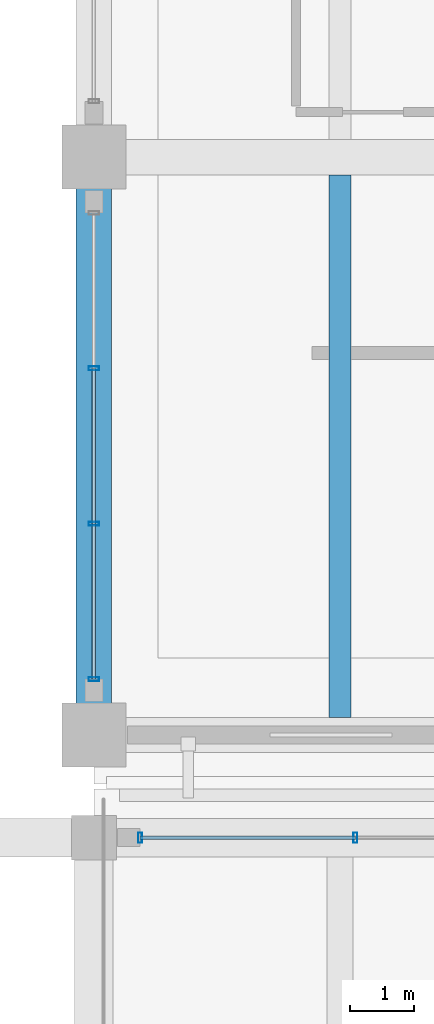
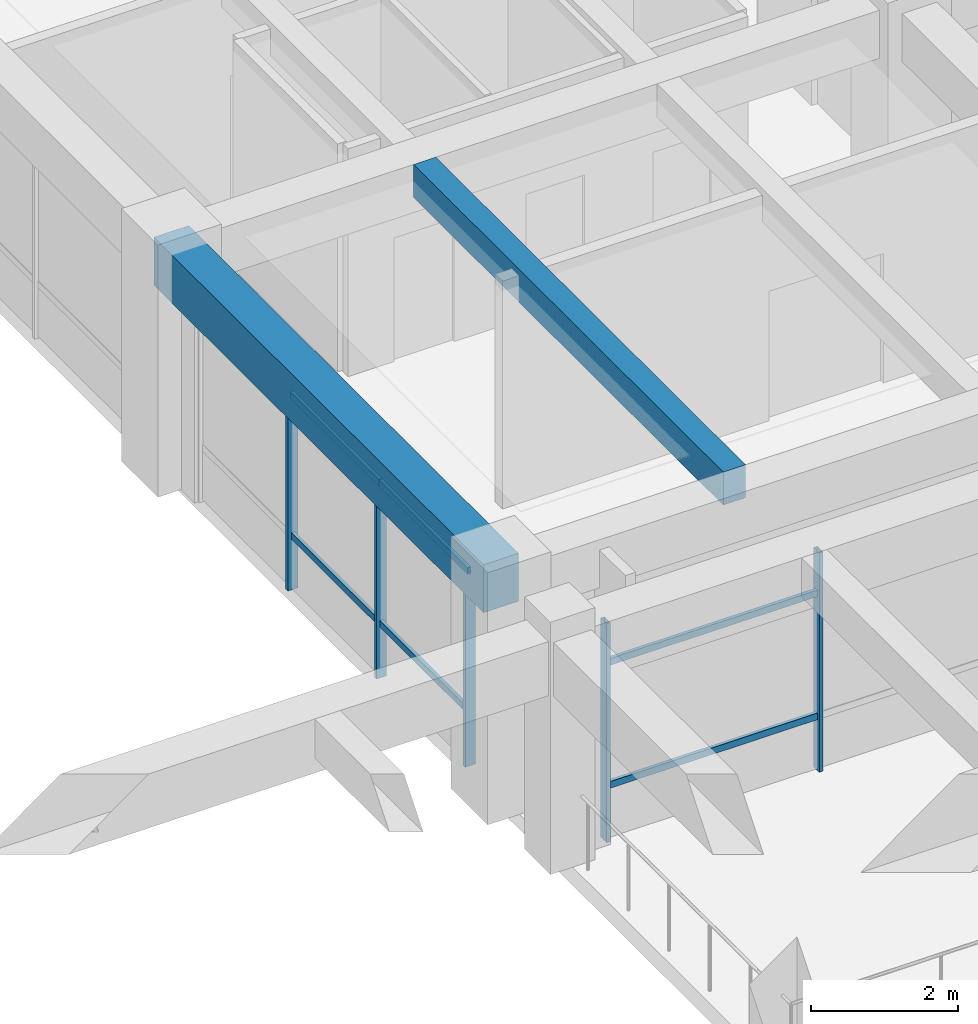
# One storey, part 35 of 98: 11 members, 2 beams, 2 elements without a shape of their own.
"""IFC4 building model written with IfcOpenShell, lengths in metres."""

import ifcopenshell
import ifcopenshell.guid

model = None  # the IFC model being written
_history = None  # IfcOwnerHistory: only IFC2X3 demands one
_inside = {}  # id of a spatial element -> (the spatial element, [elements in it])
_under = {}  # id of a project, library or spatial element -> (it, [spatial elements below it])
_declared = {}  # id of a project -> (the project, [libraries it declares])
_typed = {}  # id of a type object -> (the type object, [elements of that type])
_made_of = {}  # id of a material, layer set ... -> (it, [elements and type objects made of it])


def new_model(schema):
    """Start an empty IFC model of exactly this schema.

    Asked for "IFC4X3", IfcOpenShell would pick the latest addendum, in which some entities
    have other attributes; the version numbers below select the first issue.
    IFC2X3 requires an IfcOwnerHistory on every rooted entity: one is made here for all.
    """
    global model, _history
    if schema == "IFC4X3":
        model = ifcopenshell.file(schema_version=(4, 3, 0, 0))
    else:
        model = ifcopenshell.file(schema=schema)
    _inside.clear()
    _under.clear()
    _declared.clear()
    _typed.clear()
    _made_of.clear()
    _history = None
    if model.schema == "IFC2X3":
        org = make("IfcOrganization", Name="unknown")
        user = make(
            "IfcPersonAndOrganization",
            ThePerson=make("IfcPerson", FamilyName="unknown"),
            TheOrganization=org,
        )
        app = make(
            "IfcApplication",
            ApplicationDeveloper=org,
            Version="unknown",
            ApplicationFullName="unknown",
            ApplicationIdentifier="unknown",
        )
        _history = make(
            "IfcOwnerHistory",
            OwningUser=user,
            OwningApplication=app,
            ChangeAction="ADDED",
            CreationDate=0,
        )
    return model


def make(cls, **values):
    """One entity of the class cls with the attributes given. An attribute that is None is left unset."""
    return model.create_entity(
        cls, **{name: value for name, value in values.items() if value is not None}
    )


def rooted(cls, **values):
    """An entity with a GlobalId (a new one), such as an element, a storey or a relation."""
    return make(cls, GlobalId=ifcopenshell.guid.new(), OwnerHistory=_history, **values)


def si_unit(unit_type, name, prefix=None):
    """IfcSIUnit, for example si_unit("LENGTHUNIT", "METRE", prefix="MILLI")."""
    return make("IfcSIUnit", UnitType=unit_type, Prefix=prefix, Name=name)


def assignment(units):
    """IfcUnitAssignment: the units of a project."""
    return None if units is None else make("IfcUnitAssignment", Units=units)


def point(xyz):
    """IfcCartesianPoint."""
    return None if xyz is None else make("IfcCartesianPoint", Coordinates=xyz)


def direction(xyz):
    """IfcDirection."""
    return None if xyz is None else make("IfcDirection", DirectionRatios=xyz)


def frame(location, z_axis=None, x_axis=None):
    """IfcAxis2Placement3D, a coordinate frame: its origin and axes. An axis left out is left unset."""
    return make(
        "IfcAxis2Placement3D",
        Location=point(location),
        Axis=direction(z_axis),
        RefDirection=direction(x_axis),
    )


def frame_2d(location, x_axis=None):
    """IfcAxis2Placement2D, a coordinate frame in the plane: its origin and x axis."""
    return make(
        "IfcAxis2Placement2D", Location=point(location), RefDirection=direction(x_axis)
    )


def origin():
    """The frame at (0, 0, 0) with its axes left unset."""
    return frame((0.0, 0.0, 0.0))


def origin_2d():
    """The frame at (0, 0) in the plane with its x axis left unset."""
    return frame_2d((0.0, 0.0))


def place(relative_to, where):
    """IfcLocalPlacement: puts the frame where relative to a parent placement (None: the world)."""
    return make(
        "IfcLocalPlacement", PlacementRelTo=relative_to, RelativePlacement=where
    )


def context(
    kind, dimensions, precision=None, world=None, true_north=None, identifier=None
):
    """IfcGeometricRepresentationContext, for example the 3D "Model" context."""
    return make(
        "IfcGeometricRepresentationContext",
        ContextIdentifier=identifier,
        ContextType=kind,
        CoordinateSpaceDimension=dimensions,
        Precision=precision,
        WorldCoordinateSystem=world,
        TrueNorth=true_north,
    )


def subcontext(parent, identifier, kind, view, scale=None):
    """IfcGeometricRepresentationSubContext, for example "Body" below "Model"."""
    return make(
        "IfcGeometricRepresentationSubContext",
        ContextIdentifier=identifier,
        ContextType=kind,
        ParentContext=parent,
        TargetScale=scale,
        TargetView=view,
    )


def project(units=None, contexts=None):
    """IfcProject with its units and contexts."""
    return rooted(
        "IfcProject",
        Name="project",
        RepresentationContexts=contexts,
        UnitsInContext=assignment(units),
    )


def spatial(cls, under=None, at=None, **own):
    """A site, building, storey or space (cls), placed at a placement, below another one or the project."""
    s = rooted(cls, ObjectPlacement=at, **own)
    if under is not None:
        _under.setdefault(under.id(), (under, []))[1].append(s)
    return s


def profile(cls, at=None, kind="AREA", **sizes):
    """A parametric profile (cls). Its sizes go by their IFC names, for example OverallWidth=200.0."""
    return make(cls, ProfileType=kind, Position=at, **sizes)


def rectangle(**sizes):
    """IfcRectangleProfileDef."""
    return profile("IfcRectangleProfileDef", **sizes)


def hollow_rectangle(**sizes):
    """IfcRectangleHollowProfileDef."""
    return profile("IfcRectangleHollowProfileDef", **sizes)


def extrude(swept, where, along, depth):
    """IfcExtrudedAreaSolid: the profile swept, set in the frame where, extruded along a direction by depth."""
    return make(
        "IfcExtrudedAreaSolid",
        SweptArea=swept,
        Position=where,
        ExtrudedDirection=direction(along),
        Depth=depth,
    )


def shape(context_of_items, identifier, shape_type, items):
    """IfcShapeRepresentation: the items that make up one representation, for example the "Body"."""
    return make(
        "IfcShapeRepresentation",
        ContextOfItems=context_of_items,
        RepresentationIdentifier=identifier,
        RepresentationType=shape_type,
        Items=items,
    )


def material(Name=None, Category=None):
    """IfcMaterial."""
    return make("IfcMaterial", Name=Name, Category=Category)


def material_profile(
    of_material, cross_section, Name=None, Category=None, Priority=None
):
    """IfcMaterialProfile: a cross section and its material."""
    return make(
        "IfcMaterialProfile",
        Name=Name,
        Material=of_material,
        Profile=cross_section,
        Priority=Priority,
        Category=Category,
    )


def profile_set(profiles, Name=None, composite=None):
    """IfcMaterialProfileSet."""
    return make(
        "IfcMaterialProfileSet",
        Name=Name,
        MaterialProfiles=profiles,
        CompositeProfile=composite,
    )


def made_of(thing, what):
    """Note that an element or type object is made of a material, layer set ...; save() writes the relation."""
    if what is not None:
        _made_of.setdefault(what.id(), (what, []))[1].append(thing)
    return thing


def type_object(cls, material=None, **own):
    """A type object (cls), such as IfcWallType, which elements share."""
    return made_of(rooted(cls, **own), material)


def element(
    cls,
    number,
    at=None,
    inside=None,
    cuts=None,
    type_object=None,
    material=None,
    context=None,
    identifier="Body",
    shape_type=None,
    held_by="IfcProductDefinitionShape",
    body=None,
    shapes=None,
    **own,
):
    """One element of the class cls, such as IfcWall. Its Tag is "e" and its number.

    at: its placement. inside: the storey or other place that contains it. cuts: it is an
    opening in that element (IfcRelVoidsElement). A single representation is given by context,
    identifier, shape_type and body (its items); several are given by shapes. held_by: the class
    of the entity that holds the representations. save() writes the other relations.
    """
    e = rooted(cls, Tag="e%d" % number, ObjectPlacement=at, **own)
    if body is not None:
        shapes = [shape(context, identifier, shape_type, body)]
    if shapes is not None:
        e.Representation = make(held_by, Representations=shapes)
    if inside is not None:
        _inside.setdefault(inside.id(), (inside, []))[1].append(e)
    if cuts is not None:
        rooted(
            "IfcRelVoidsElement", RelatingBuildingElement=cuts, RelatedOpeningElement=e
        )
    if type_object is not None:
        _typed.setdefault(type_object.id(), (type_object, []))[1].append(e)
    return made_of(e, material)


def aggregate(whole, parts):
    """IfcRelAggregates: a whole, such as a stair, and the parts it consists of."""
    return rooted("IfcRelAggregates", RelatingObject=whole, RelatedObjects=parts)


def save(model, path):
    """Write the relations noted so far, then the file.

    IfcRelAggregates (storeys below a building ...), IfcRelContainedInSpatialStructure (elements
    in a storey), IfcRelDefinesByType, IfcRelAssociatesMaterial and IfcRelDeclares: one each for
    every whole, place, type object, material and project.
    """
    for whole, parts in _under.values():
        aggregate(whole, parts)
    for where, things in _inside.values():
        rooted(
            "IfcRelContainedInSpatialStructure",
            RelatedElements=things,
            RelatingStructure=where,
        )
    for kind, things in _typed.values():
        rooted("IfcRelDefinesByType", RelatedObjects=things, RelatingType=kind)
    for what, things in _made_of.values():
        rooted("IfcRelAssociatesMaterial", RelatedObjects=things, RelatingMaterial=what)
    for by, libraries in _declared.values():
        rooted("IfcRelDeclares", RelatingContext=by, RelatedDefinitions=libraries)
    model.write(path)


model = new_model("IFC4")

# Units and contexts
model_context = context("Model", 3, precision=1e-05, world=origin(), true_north=direction((0.0, 1.0)))
body_context = subcontext(model_context, "Body", "Model", "MODEL_VIEW")
ifc_project = project(units=[si_unit("LENGTHUNIT", "METRE"), si_unit("AREAUNIT", "SQUARE_METRE"), si_unit("VOLUMEUNIT", "CUBIC_METRE"), si_unit("PLANEANGLEUNIT", "RADIAN"), si_unit("MASSUNIT", "GRAM", prefix="KILO")], contexts=[model_context])

# Site, building, storey
site_placement = place(None, origin())
site = spatial("IfcSite", under=ifc_project, at=site_placement, CompositionType="ELEMENT")
building_placement = place(site_placement, origin())
building = spatial("IfcBuilding", under=site, at=building_placement, Name="Ologun Quay Terminus", CompositionType="ELEMENT")
storey_placement = place(building_placement, frame((0.0, 0.0, 4.199951171875)))
storey = spatial("IfcBuildingStorey", under=building, at=storey_placement, Name="L01", CompositionType="ELEMENT", Elevation=4.199951171875)

# Curtain wall, members
ifc_material_1 = material(Name="Aluminium 6063-T6", Category="aluminium")
curtain_wall_type_1 = type_object("IfcCurtainWallType", Name="Forecourt Mezzanine Curtain Wall 10700x3850", PredefinedType="USERDEFINED", material=ifc_material_1)
curtain_wall_1_placement = place(storey_placement, origin())
curtain_wall_1 = element("IfcCurtainWall", 1, at=curtain_wall_1_placement, inside=storey, type_object=curtain_wall_type_1, Name="CW-04 Curtain Wall CW-L01-090", ObjectType="UNITISED CURTAIN WALL", PredefinedType="USERDEFINED")
ifc_material_2 = material(Name="Aluminium 6063-T6", Category="aluminium")
ifc_material_profile_1 = material_profile(ifc_material_2, hollow_rectangle(XDim=0.06005859375, YDim=0.159912109375, WallThickness=0.00390625, at=origin_2d()), Name="ALU 160x60x4")
ifc_profile_set_1 = profile_set([ifc_material_profile_1], Name="Aluminium 6063-T6")
member_type_1 = type_object("IfcMemberType", Name="Courtyard Screen Mullion 160x65", PredefinedType="MULLION", material=ifc_profile_set_1)
member_1_placement = place(storey_placement, frame((115.719970703125, 84.199951171875, 0.0), z_axis=(0.0, 0.0, 1.0), x_axis=(1.0, 0.0, 0.0)))
member_1 = element("IfcMember", 2, at=member_1_placement, type_object=member_type_1, Name="CW-L01-090 Mullion 1", PredefinedType="MULLION", context=body_context, shape_type="SweptSolid", body=[
    extrude(hollow_rectangle(XDim=0.06005859375, YDim=0.159912109375, WallThickness=0.00390625, at=origin_2d()), origin(), (0.0, 0.0, 1.0), 3.650146484375),
])
member_2_placement = place(storey_placement, frame((119.0732421875, 84.199951171875, 0.0), z_axis=(0.0, 0.0, 1.0), x_axis=(1.0, 0.0, 0.0)))
member_2 = element("IfcMember", 3, at=member_2_placement, type_object=member_type_1, Name="CW-L01-090 Mullion 2", PredefinedType="MULLION", context=body_context, shape_type="SweptSolid", body=[
    extrude(hollow_rectangle(XDim=0.06005859375, YDim=0.159912109375, WallThickness=0.00390625, at=origin_2d()), origin(), (0.0, 0.0, 1.0), 3.650146484375),
])

ifc_material_3 = material(Name="Aluminium 6063-T6", Category="aluminium")
curtain_wall_type_2 = type_object("IfcCurtainWallType", Name="Rain-Garden East Courtyard Curtain Wall L01 9200x3850", PredefinedType="USERDEFINED", material=ifc_material_3)
curtain_wall_2_placement = place(storey_placement, origin())
curtain_wall_2 = element("IfcCurtainWall", 4, at=curtain_wall_2_placement, inside=storey, type_object=curtain_wall_type_2, Name="CW-18 Curtain Wall CW-L01-128", ObjectType="UNITISED CURTAIN WALL", PredefinedType="USERDEFINED")
member_3_placement = place(storey_placement, frame((115.0, 86.669921875, 0.0), z_axis=(0.0, 0.0, 1.0), x_axis=(0.0, 1.0, 0.0)))
member_3 = element("IfcMember", 5, at=member_3_placement, type_object=member_type_1, Name="CW-L01-128 Mullion 1", PredefinedType="MULLION", context=body_context, shape_type="SweptSolid", body=[
    extrude(hollow_rectangle(XDim=0.06005859375, YDim=0.159912109375, WallThickness=0.00390625, at=origin_2d()), origin(), (0.0, 0.0, 1.0), 3.929931640625),
])
member_4_placement = place(storey_placement, frame((115.0, 89.090087890625, 0.0), z_axis=(0.0, 0.0, 1.0), x_axis=(0.0, 1.0, 0.0)))
member_4 = element("IfcMember", 6, at=member_4_placement, type_object=member_type_1, Name="CW-L01-128 Mullion 2", PredefinedType="MULLION", context=body_context, shape_type="SweptSolid", body=[
    extrude(hollow_rectangle(XDim=0.06005859375, YDim=0.159912109375, WallThickness=0.00390625, at=origin_2d()), origin(), (0.0, 0.0, 1.0), 3.929931640625),
])
member_5_placement = place(storey_placement, frame((115.0, 91.510009765625, 0.0), z_axis=(0.0, 0.0, 1.0), x_axis=(0.0, 1.0, 0.0)))
member_5 = element("IfcMember", 7, at=member_5_placement, type_object=member_type_1, Name="CW-L01-128 Mullion 3", PredefinedType="MULLION", context=body_context, shape_type="SweptSolid", body=[
    extrude(hollow_rectangle(XDim=0.06005859375, YDim=0.159912109375, WallThickness=0.00390625, at=origin_2d()), origin(), (0.0, 0.0, 1.0), 3.929931640625),
])

# Member
ifc_material_4 = material(Name="Aluminium 6063-T6", Category="aluminium")
ifc_material_profile_2 = material_profile(ifc_material_4, hollow_rectangle(XDim=0.054931640625, YDim=0.110107421875, WallThickness=0.00390625, at=origin_2d()), Name="ALU 110x55x4")
ifc_profile_set_2 = profile_set([ifc_material_profile_2], Name="Aluminium 6063-T6")
member_type_2 = type_object("IfcMemberType", Name="Courtyard Screen Transom 110x55", PredefinedType="USERDEFINED", material=ifc_profile_set_2)
member_6_placement = place(storey_placement, frame((115.719970703125, 84.199951171875, 0.900146484375), z_axis=(1.0, 0.0, 0.0), x_axis=(0.0, 1.0, 0.0)))
member_6 = element("IfcMember", 8, at=member_6_placement, type_object=member_type_2, Name="CW-L01-090 Transom B1-1", ObjectType="TRANSOM", PredefinedType="USERDEFINED", context=body_context, shape_type="SweptSolid", body=[
    extrude(hollow_rectangle(XDim=0.054931640625, YDim=0.110107421875, WallThickness=0.00390625, at=origin_2d()), origin(), (0.0, 0.0, 1.0), 3.353271484375),
])

member_7_placement = place(storey_placement, frame((115.719970703125, 84.199951171875, 2.949951171875), z_axis=(1.0, 0.0, 0.0), x_axis=(0.0, 1.0, 0.0)))
member_7 = element("IfcMember", 9, at=member_7_placement, type_object=member_type_2, Name="CW-L01-090 Transom B1-2", ObjectType="TRANSOM", PredefinedType="USERDEFINED", context=body_context, shape_type="SweptSolid", body=[
    extrude(hollow_rectangle(XDim=0.054931640625, YDim=0.110107421875, WallThickness=0.00390625, at=origin_2d()), origin(), (0.0, 0.0, 1.0), 3.353271484375),
])

aggregate(curtain_wall_1, [member_1, member_2, member_6, member_7])

member_8_placement = place(storey_placement, frame((115.0, 86.669921875, 0.900146484375), z_axis=(0.0, 1.0, 0.0), x_axis=(-1.0, 0.0, 0.0)))
member_8 = element("IfcMember", 10, at=member_8_placement, type_object=member_type_2, Name="CW-L01-128 Transom B1-1", ObjectType="TRANSOM", PredefinedType="USERDEFINED", context=body_context, shape_type="SweptSolid", body=[
    extrude(hollow_rectangle(XDim=0.054931640625, YDim=0.110107421875, WallThickness=0.00390625, at=origin_2d()), origin(), (0.0, 0.0, 1.0), 2.420166015625),
])

member_9_placement = place(storey_placement, frame((115.0, 86.669921875, 3.22998046875), z_axis=(0.0, 1.0, 0.0), x_axis=(-1.0, 0.0, 0.0)))
member_9 = element("IfcMember", 11, at=member_9_placement, type_object=member_type_2, Name="CW-L01-128 Transom B1-2", ObjectType="TRANSOM", PredefinedType="USERDEFINED", context=body_context, shape_type="SweptSolid", body=[
    extrude(hollow_rectangle(XDim=0.054931640625, YDim=0.110107421875, WallThickness=0.00390625, at=origin_2d()), origin(), (0.0, 0.0, 1.0), 2.420166015625),
])

member_10_placement = place(storey_placement, frame((115.0, 89.090087890625, 0.900146484375), z_axis=(0.0, 1.0, 0.0), x_axis=(-1.0, 0.0, 0.0)))
member_10 = element("IfcMember", 12, at=member_10_placement, type_object=member_type_2, Name="CW-L01-128 Transom B2-1", ObjectType="TRANSOM", PredefinedType="USERDEFINED", context=body_context, shape_type="SweptSolid", body=[
    extrude(hollow_rectangle(XDim=0.054931640625, YDim=0.110107421875, WallThickness=0.00390625, at=origin_2d()), origin(), (0.0, 0.0, 1.0), 2.419921875),
])

member_11_placement = place(storey_placement, frame((115.0, 89.090087890625, 3.22998046875), z_axis=(0.0, 1.0, 0.0), x_axis=(-1.0, 0.0, 0.0)))
member_11 = element("IfcMember", 13, at=member_11_placement, type_object=member_type_2, Name="CW-L01-128 Transom B2-2", ObjectType="TRANSOM", PredefinedType="USERDEFINED", context=body_context, shape_type="SweptSolid", body=[
    extrude(hollow_rectangle(XDim=0.054931640625, YDim=0.110107421875, WallThickness=0.00390625, at=origin_2d()), origin(), (0.0, 0.0, 1.0), 2.419921875),
])

aggregate(curtain_wall_2, [member_3, member_4, member_5, member_8, member_9, member_10, member_11])

# Beams
ifc_material_5 = material(Name="Concrete C40/50", Category="concrete")
ifc_material_profile_3 = material_profile(ifc_material_5, rectangle(XDim=0.550048828125, YDim=0.800048828125, at=origin_2d()), Name="RC 550x800")
ifc_profile_set_3 = profile_set([ifc_material_profile_3], Name="Concrete C40/50")
beam_type_1 = type_object("IfcBeamType", Name="Courtyard Wing Primary Girder 550x800", PredefinedType="BEAM", material=ifc_profile_set_3)
beam_1_placement = place(storey_placement, frame((115.0, 85.800048828125, 3.550048828125), z_axis=(0.0, 1.0, 0.0), x_axis=(-1.0, 0.0, 0.0)))
element("IfcBeam", 14, at=beam_1_placement, inside=storey, type_object=beam_type_1, Name="B4 Beam 11/G2 L01", PredefinedType="BEAM", context=body_context, shape_type="SweptSolid", body=[
    extrude(rectangle(XDim=0.550048828125, YDim=0.800048828125, at=origin_2d()), origin(), (0.0, 0.0, 1.0), 9.0),
])
ifc_material_6 = material(Name="Concrete C40/50", Category="concrete")
ifc_material_profile_4 = material_profile(ifc_material_6, rectangle(XDim=0.35009765625, YDim=0.550048828125, at=origin_2d()), Name="RC 350x550")
ifc_profile_set_4 = profile_set([ifc_material_profile_4], Name="Concrete C40/50")
beam_type_2 = type_object("IfcBeamType", Name="Courtyard Wing Secondary Joist 350x550", PredefinedType="JOIST", material=ifc_profile_set_4)
beam_2_placement = place(storey_placement, frame((118.833251953125, 86.074951171875, 3.675048828125), z_axis=(0.0, 1.0, 0.0), x_axis=(-1.0, 0.0, 0.0)))
element("IfcBeam", 15, at=beam_2_placement, inside=storey, type_object=beam_type_2, Name="J2 Beam 11/G2 L01", PredefinedType="JOIST", context=body_context, shape_type="SweptSolid", body=[
    extrude(rectangle(XDim=0.35009765625, YDim=0.550048828125, at=origin_2d()), origin(), (0.0, 0.0, 1.0), 8.449951171875),
])

save(model, "model.ifc")
